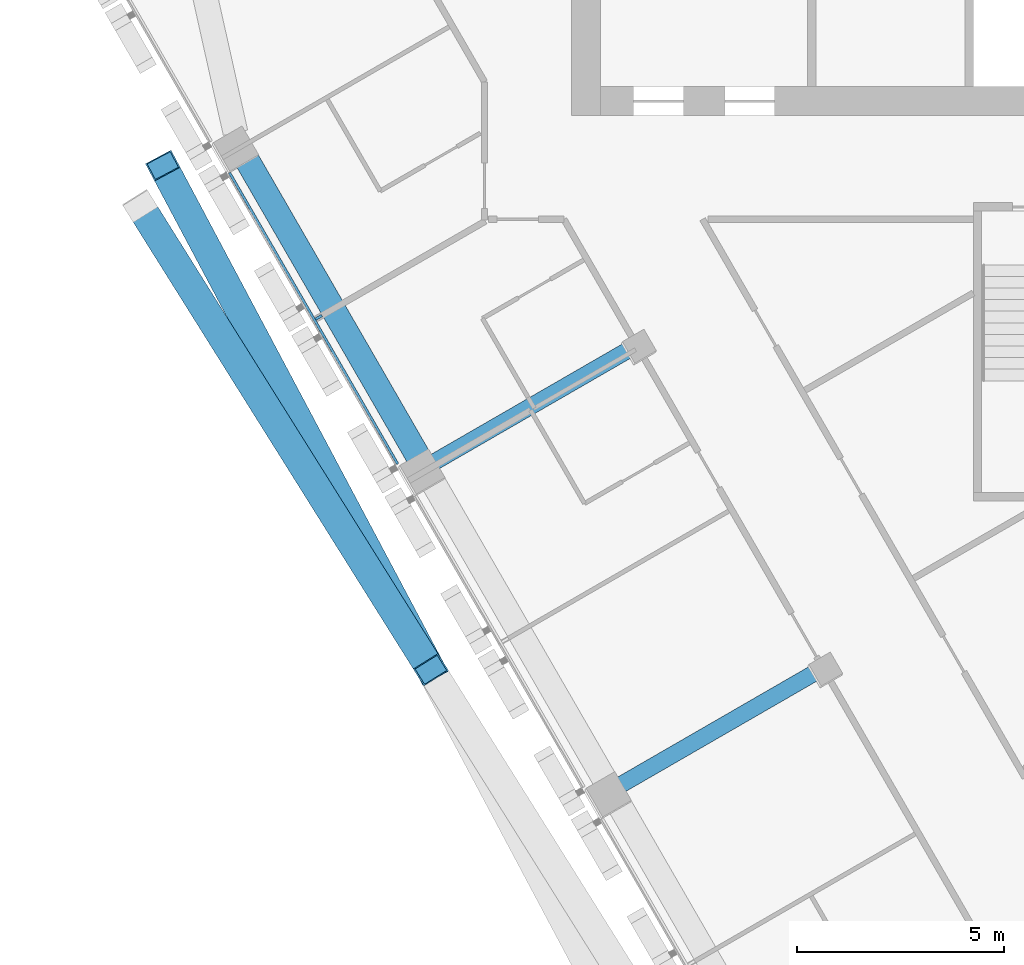
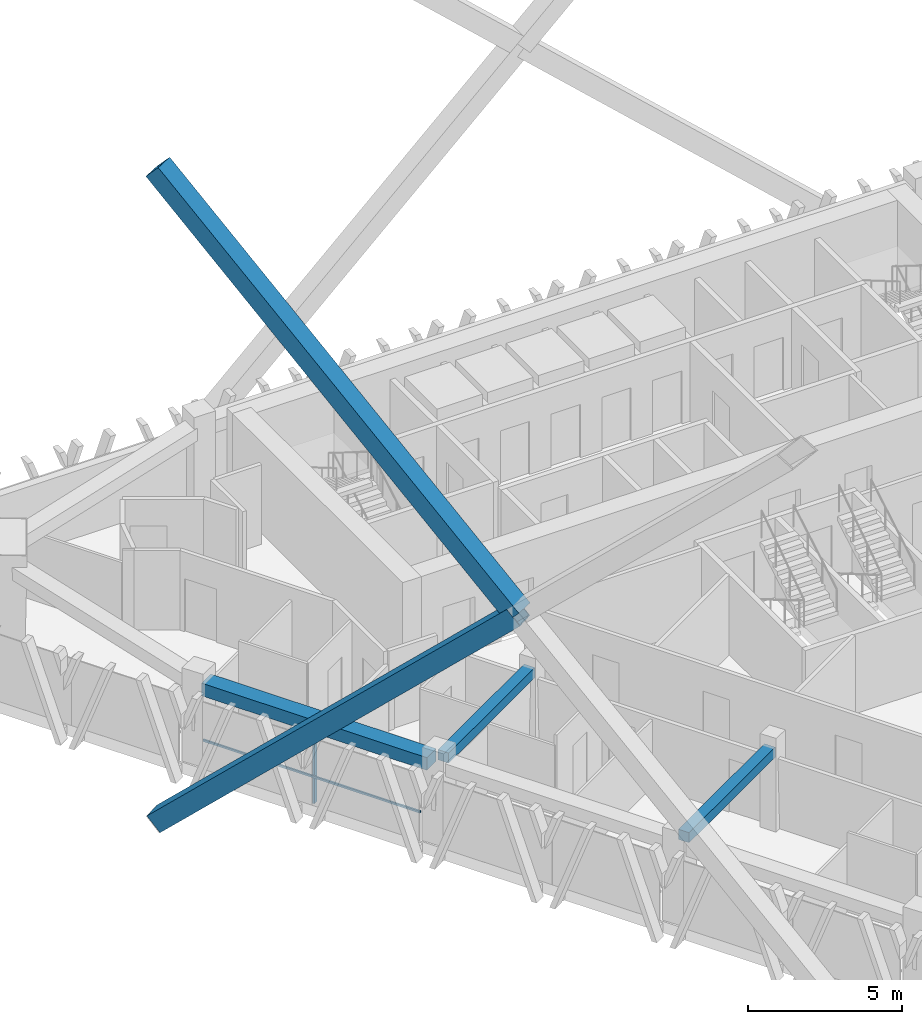
# One storey, part 3 of 17: 4 members, 3 beams, 1 element without a shape of its own.
"""IFC4 building model written with IfcOpenShell, lengths in metres."""

import ifcopenshell
import ifcopenshell.guid

model = None  # the IFC model being written
_history = None  # IfcOwnerHistory: only IFC2X3 demands one
_inside = {}  # id of a spatial element -> (the spatial element, [elements in it])
_under = {}  # id of a project, library or spatial element -> (it, [spatial elements below it])
_declared = {}  # id of a project -> (the project, [libraries it declares])
_typed = {}  # id of a type object -> (the type object, [elements of that type])
_made_of = {}  # id of a material, layer set ... -> (it, [elements and type objects made of it])


def new_model(schema):
    """Start an empty IFC model of exactly this schema.

    Asked for "IFC4X3", IfcOpenShell would pick the latest addendum, in which some entities
    have other attributes; the version numbers below select the first issue.
    IFC2X3 requires an IfcOwnerHistory on every rooted entity: one is made here for all.
    """
    global model, _history
    if schema == "IFC4X3":
        model = ifcopenshell.file(schema_version=(4, 3, 0, 0))
    else:
        model = ifcopenshell.file(schema=schema)
    _inside.clear()
    _under.clear()
    _declared.clear()
    _typed.clear()
    _made_of.clear()
    _history = None
    if model.schema == "IFC2X3":
        org = make("IfcOrganization", Name="unknown")
        user = make(
            "IfcPersonAndOrganization",
            ThePerson=make("IfcPerson", FamilyName="unknown"),
            TheOrganization=org,
        )
        app = make(
            "IfcApplication",
            ApplicationDeveloper=org,
            Version="unknown",
            ApplicationFullName="unknown",
            ApplicationIdentifier="unknown",
        )
        _history = make(
            "IfcOwnerHistory",
            OwningUser=user,
            OwningApplication=app,
            ChangeAction="ADDED",
            CreationDate=0,
        )
    return model


def make(cls, **values):
    """One entity of the class cls with the attributes given. An attribute that is None is left unset."""
    return model.create_entity(
        cls, **{name: value for name, value in values.items() if value is not None}
    )


def rooted(cls, **values):
    """An entity with a GlobalId (a new one), such as an element, a storey or a relation."""
    return make(cls, GlobalId=ifcopenshell.guid.new(), OwnerHistory=_history, **values)


def si_unit(unit_type, name, prefix=None):
    """IfcSIUnit, for example si_unit("LENGTHUNIT", "METRE", prefix="MILLI")."""
    return make("IfcSIUnit", UnitType=unit_type, Prefix=prefix, Name=name)


def assignment(units):
    """IfcUnitAssignment: the units of a project."""
    return None if units is None else make("IfcUnitAssignment", Units=units)


def point(xyz):
    """IfcCartesianPoint."""
    return None if xyz is None else make("IfcCartesianPoint", Coordinates=xyz)


def direction(xyz):
    """IfcDirection."""
    return None if xyz is None else make("IfcDirection", DirectionRatios=xyz)


def frame(location, z_axis=None, x_axis=None):
    """IfcAxis2Placement3D, a coordinate frame: its origin and axes. An axis left out is left unset."""
    return make(
        "IfcAxis2Placement3D",
        Location=point(location),
        Axis=direction(z_axis),
        RefDirection=direction(x_axis),
    )


def frame_2d(location, x_axis=None):
    """IfcAxis2Placement2D, a coordinate frame in the plane: its origin and x axis."""
    return make(
        "IfcAxis2Placement2D", Location=point(location), RefDirection=direction(x_axis)
    )


def origin():
    """The frame at (0, 0, 0) with its axes left unset."""
    return frame((0.0, 0.0, 0.0))


def origin_2d():
    """The frame at (0, 0) in the plane with its x axis left unset."""
    return frame_2d((0.0, 0.0))


def place(relative_to, where):
    """IfcLocalPlacement: puts the frame where relative to a parent placement (None: the world)."""
    return make(
        "IfcLocalPlacement", PlacementRelTo=relative_to, RelativePlacement=where
    )


def context(
    kind, dimensions, precision=None, world=None, true_north=None, identifier=None
):
    """IfcGeometricRepresentationContext, for example the 3D "Model" context."""
    return make(
        "IfcGeometricRepresentationContext",
        ContextIdentifier=identifier,
        ContextType=kind,
        CoordinateSpaceDimension=dimensions,
        Precision=precision,
        WorldCoordinateSystem=world,
        TrueNorth=true_north,
    )


def subcontext(parent, identifier, kind, view, scale=None):
    """IfcGeometricRepresentationSubContext, for example "Body" below "Model"."""
    return make(
        "IfcGeometricRepresentationSubContext",
        ContextIdentifier=identifier,
        ContextType=kind,
        ParentContext=parent,
        TargetScale=scale,
        TargetView=view,
    )


def project(units=None, contexts=None):
    """IfcProject with its units and contexts."""
    return rooted(
        "IfcProject",
        Name="project",
        RepresentationContexts=contexts,
        UnitsInContext=assignment(units),
    )


def spatial(cls, under=None, at=None, **own):
    """A site, building, storey or space (cls), placed at a placement, below another one or the project."""
    s = rooted(cls, ObjectPlacement=at, **own)
    if under is not None:
        _under.setdefault(under.id(), (under, []))[1].append(s)
    return s


def profile(cls, at=None, kind="AREA", **sizes):
    """A parametric profile (cls). Its sizes go by their IFC names, for example OverallWidth=200.0."""
    return make(cls, ProfileType=kind, Position=at, **sizes)


def rectangle(**sizes):
    """IfcRectangleProfileDef."""
    return profile("IfcRectangleProfileDef", **sizes)


def hollow_rectangle(**sizes):
    """IfcRectangleHollowProfileDef."""
    return profile("IfcRectangleHollowProfileDef", **sizes)


def extrude(swept, where, along, depth):
    """IfcExtrudedAreaSolid: the profile swept, set in the frame where, extruded along a direction by depth."""
    return make(
        "IfcExtrudedAreaSolid",
        SweptArea=swept,
        Position=where,
        ExtrudedDirection=direction(along),
        Depth=depth,
    )


def shape(context_of_items, identifier, shape_type, items):
    """IfcShapeRepresentation: the items that make up one representation, for example the "Body"."""
    return make(
        "IfcShapeRepresentation",
        ContextOfItems=context_of_items,
        RepresentationIdentifier=identifier,
        RepresentationType=shape_type,
        Items=items,
    )


def material(Name=None, Category=None):
    """IfcMaterial."""
    return make("IfcMaterial", Name=Name, Category=Category)


def layer(
    of_material, thickness, ventilated=None, Name=None, Category=None, Priority=None
):
    """IfcMaterialLayer: one layer of a wall or slab, of a material (None: an air gap)."""
    return make(
        "IfcMaterialLayer",
        Material=of_material,
        LayerThickness=thickness,
        IsVentilated=ventilated,
        Name=Name,
        Category=Category,
        Priority=Priority,
    )


def layer_set(layers, Name=None):
    """IfcMaterialLayerSet."""
    return make("IfcMaterialLayerSet", MaterialLayers=layers, LayerSetName=Name)


def material_profile(
    of_material, cross_section, Name=None, Category=None, Priority=None
):
    """IfcMaterialProfile: a cross section and its material."""
    return make(
        "IfcMaterialProfile",
        Name=Name,
        Material=of_material,
        Profile=cross_section,
        Priority=Priority,
        Category=Category,
    )


def profile_set(profiles, Name=None, composite=None):
    """IfcMaterialProfileSet."""
    return make(
        "IfcMaterialProfileSet",
        Name=Name,
        MaterialProfiles=profiles,
        CompositeProfile=composite,
    )


def made_of(thing, what):
    """Note that an element or type object is made of a material, layer set ...; save() writes the relation."""
    if what is not None:
        _made_of.setdefault(what.id(), (what, []))[1].append(thing)
    return thing


def type_object(cls, material=None, **own):
    """A type object (cls), such as IfcWallType, which elements share."""
    return made_of(rooted(cls, **own), material)


def element(
    cls,
    number,
    at=None,
    inside=None,
    cuts=None,
    type_object=None,
    material=None,
    context=None,
    identifier="Body",
    shape_type=None,
    held_by="IfcProductDefinitionShape",
    body=None,
    shapes=None,
    **own,
):
    """One element of the class cls, such as IfcWall. Its Tag is "e" and its number.

    at: its placement. inside: the storey or other place that contains it. cuts: it is an
    opening in that element (IfcRelVoidsElement). A single representation is given by context,
    identifier, shape_type and body (its items); several are given by shapes. held_by: the class
    of the entity that holds the representations. save() writes the other relations.
    """
    e = rooted(cls, Tag="e%d" % number, ObjectPlacement=at, **own)
    if body is not None:
        shapes = [shape(context, identifier, shape_type, body)]
    if shapes is not None:
        e.Representation = make(held_by, Representations=shapes)
    if inside is not None:
        _inside.setdefault(inside.id(), (inside, []))[1].append(e)
    if cuts is not None:
        rooted(
            "IfcRelVoidsElement", RelatingBuildingElement=cuts, RelatedOpeningElement=e
        )
    if type_object is not None:
        _typed.setdefault(type_object.id(), (type_object, []))[1].append(e)
    return made_of(e, material)


def aggregate(whole, parts):
    """IfcRelAggregates: a whole, such as a stair, and the parts it consists of."""
    return rooted("IfcRelAggregates", RelatingObject=whole, RelatedObjects=parts)


def save(model, path):
    """Write the relations noted so far, then the file.

    IfcRelAggregates (storeys below a building ...), IfcRelContainedInSpatialStructure (elements
    in a storey), IfcRelDefinesByType, IfcRelAssociatesMaterial and IfcRelDeclares: one each for
    every whole, place, type object, material and project.
    """
    for whole, parts in _under.values():
        aggregate(whole, parts)
    for where, things in _inside.values():
        rooted(
            "IfcRelContainedInSpatialStructure",
            RelatedElements=things,
            RelatingStructure=where,
        )
    for kind, things in _typed.values():
        rooted("IfcRelDefinesByType", RelatedObjects=things, RelatingType=kind)
    for what, things in _made_of.values():
        rooted("IfcRelAssociatesMaterial", RelatedObjects=things, RelatingMaterial=what)
    for by, libraries in _declared.values():
        rooted("IfcRelDeclares", RelatingContext=by, RelatedDefinitions=libraries)
    model.write(path)


model = new_model("IFC4")

# Units and contexts
model_context = context("Model", 3, precision=1e-05, world=origin(), true_north=direction((0.0, 1.0)))
body_context = subcontext(model_context, "Body", "Model", "MODEL_VIEW")
ifc_project = project(units=[si_unit("LENGTHUNIT", "METRE"), si_unit("AREAUNIT", "SQUARE_METRE"), si_unit("VOLUMEUNIT", "CUBIC_METRE"), si_unit("PLANEANGLEUNIT", "RADIAN"), si_unit("MASSUNIT", "GRAM", prefix="KILO")], contexts=[model_context])

# Site, building, storey
site_placement = place(None, origin())
site = spatial("IfcSite", under=ifc_project, at=site_placement, CompositionType="ELEMENT")
building_placement = place(site_placement, origin())
building = spatial("IfcBuilding", under=site, at=building_placement, Name="Altiplano Prism Tower", CompositionType="ELEMENT")
storey_placement = place(building_placement, frame((0.0, 0.0, 194.39990234375)))
storey = spatial("IfcBuildingStorey", under=building, at=storey_placement, Name="L50", CompositionType="ELEMENT", Elevation=194.39990234375)

# Curtain wall, members
ifc_material_1 = material(Name="Aluminium and glass", Category="aluminium")
ifc_layer = layer(ifc_material_1, 0.280029296875)
ifc_layer_set = layer_set([ifc_layer], Name="Aluminium and glass")
curtain_wall_type = type_object("IfcCurtainWallType", Name="CW1 typical co-living unitised curtain wall", PredefinedType="NOTDEFINED", material=ifc_layer_set)
curtain_wall_placement = place(storey_placement, origin())
curtain_wall = element("IfcCurtainWall", 1, at=curtain_wall_placement, inside=storey, type_object=curtain_wall_type, Name="CW1 curtain wall south-west face L50", PredefinedType="NOTDEFINED")
ifc_material_2 = material(Name="Aluminium", Category="aluminium")
ifc_material_profile_1 = material_profile(ifc_material_2, rectangle(XDim=0.179931640625, YDim=0.06494140625, at=origin_2d()), Name="CW1 mullion 65 x 180")
ifc_profile_set_1 = profile_set([ifc_material_profile_1], Name="Aluminium")
member_type_1 = type_object("IfcMemberType", Name="CW1 mullion 65 x 180", PredefinedType="MULLION", material=ifc_profile_set_1)
member_1_placement = place(storey_placement, frame((66.197509765625, 87.83154296875, 0.0), z_axis=(0.0, 0.0, 1.0), x_axis=(0.866025410146, 0.499999988981, 0.0)))
member_1 = element("IfcMember", 2, at=member_1_placement, type_object=member_type_1, Name="CW1 mullion", PredefinedType="MULLION", context=body_context, shape_type="SweptSolid", body=[
    extrude(rectangle(XDim=0.179931640625, YDim=0.06494140625, at=origin_2d()), origin(), (0.0, 0.0, 1.0), 2.650146484375),
])
ifc_material_profile_2 = material_profile(ifc_material_2, rectangle(XDim=0.06005859375, YDim=0.080078125, at=origin_2d()), Name="CW1 transom 80 x 60")
ifc_profile_set_2 = profile_set([ifc_material_profile_2], Name="Aluminium")
member_type_2 = type_object("IfcMemberType", Name="CW1 transom 80 x 60", PredefinedType="USERDEFINED", material=ifc_profile_set_2)
member_2_placement = place(storey_placement, frame((64.043701171875, 91.322265625, 1.10009765625), z_axis=(0.499987045439, -0.866032882975, 0.0), x_axis=(0.866032882975, 0.499987045439, 0.0)))
member_2 = element("IfcMember", 3, at=member_2_placement, type_object=member_type_2, Name="CW1 transom", ObjectType="TRANSOM", PredefinedType="USERDEFINED", context=body_context, shape_type="SweptSolid", body=[
    extrude(rectangle(XDim=0.06005859375, YDim=0.080078125, at=origin_2d()), origin(), (0.0, 0.0, 1.0), 8.120361328125),
])
aggregate(curtain_wall, [member_1, member_2])

# Beam
ifc_material_3 = material(Name="Concrete C60/75", Category="concrete")
ifc_material_profile_3 = material_profile(ifc_material_3, rectangle(XDim=0.60009765625, YDim=0.5, at=origin_2d()), Name="Edge beam 600x500")
ifc_profile_set_3 = profile_set([ifc_material_profile_3], Name="Concrete C60/75")
beam_type_1 = type_object("IfcBeamType", Name="Edge beam 600x500", PredefinedType="SPANDREL", material=ifc_profile_set_3)
beam_placement = place(storey_placement, frame((64.392578125, 91.7548828125, 2.900146484375), z_axis=(0.500015409341, -0.866016507015, 0.0), x_axis=(0.866016507015, 0.500015409341, 0.0)))
element("IfcBeam", 4, at=beam_placement, inside=storey, type_object=beam_type_1, Name="Edge beam P11-P12 L51", PredefinedType="SPANDREL", context=body_context, shape_type="SweptSolid", body=[
    extrude(rectangle(XDim=0.60009765625, YDim=0.5, at=origin_2d()), origin(), (0.0, 0.0, 1.0), 8.440185546875),
])

# Members
ifc_material_4 = material(Name="Steel S355", Category="steel")
ifc_material_profile_4 = material_profile(ifc_material_4, hollow_rectangle(XDim=0.699951171875, YDim=0.699951171875, WallThickness=0.034912109375, at=origin_2d()), Name="Mega brace Box 700x700x35")
ifc_profile_set_4 = profile_set([ifc_material_profile_4], Name="Steel S355")
member_type_3 = type_object("IfcMemberType", Name="Mega brace Box 700x700x35", PredefinedType="BRACE", material=ifc_profile_set_4)
member_3_placement = place(storey_placement, frame((61.89111328125, 90.51220703125, -0.77587890625), z_axis=(0.385742506769, -0.615300314738, 0.68746508359), x_axis=(0.847267343701, 0.531166685982, 0.0)))
element("IfcMember", 5, at=member_3_placement, inside=storey, type_object=member_type_3, Name="Mega brace 5.1.1", PredefinedType="BRACE", context=body_context, shape_type="SweptSolid", body=[
    extrude(hollow_rectangle(XDim=0.699951171875, YDim=0.699951171875, WallThickness=0.034912109375, at=origin_2d()), origin(), (0.0, 0.0, 1.0), 18.18408203125),
])
member_4_placement = place(storey_placement, frame((68.905517578125, 79.323486328125, 11.72509765625), z_axis=(-0.347491474536, 0.653510993076, 0.672438143664), x_axis=(-0.882940023282, -0.469485798813, 0.0)))
element("IfcMember", 6, at=member_4_placement, inside=storey, type_object=member_type_3, Name="Mega brace 5.1.4", PredefinedType="BRACE", context=body_context, shape_type="SweptSolid", body=[
    extrude(hollow_rectangle(XDim=0.699951171875, YDim=0.699951171875, WallThickness=0.034912109375, at=origin_2d()), origin(), (0.0, 0.0, 1.0), 18.626220703125),
])

# Beams
ifc_material_profile_5 = material_profile(ifc_material_3, rectangle(XDim=0.39990234375, YDim=0.39990234375, at=origin_2d()), Name="Tie beam 400x400")
ifc_profile_set_5 = profile_set([ifc_material_profile_5], Name="Concrete C60/75")
beam_type_2 = type_object("IfcBeamType", Name="Tie beam 400x400", PredefinedType="BEAM", material=ifc_profile_set_5)
for number, where, z_axis, x_axis, name in (
    (7, (73.836181640625, 87.137939453125, 2.9501953125), (-0.866030670444, -0.499990877767, 0.0), (0.499990877767, -0.866030670444, 0.0), "Tie beam I12 L51"),
    (8, (78.336181640625, 79.34375, 2.9501953125), (-0.866030670444, -0.499990877767, 0.0), (0.499990877767, -0.866030670444, 0.0), "Tie beam I13 L51"),
):
    element("IfcBeam", number, at=place(storey_placement, frame(where, z_axis=z_axis, x_axis=x_axis)), inside=storey, type_object=beam_type_2, Name=name, PredefinedType="BEAM", context=body_context, shape_type="SweptSolid", body=[
        extrude(rectangle(XDim=0.39990234375, YDim=0.39990234375, at=origin_2d()), origin(), (0.0, 0.0, 1.0), 5.58984375),
    ])

save(model, "model.ifc")
